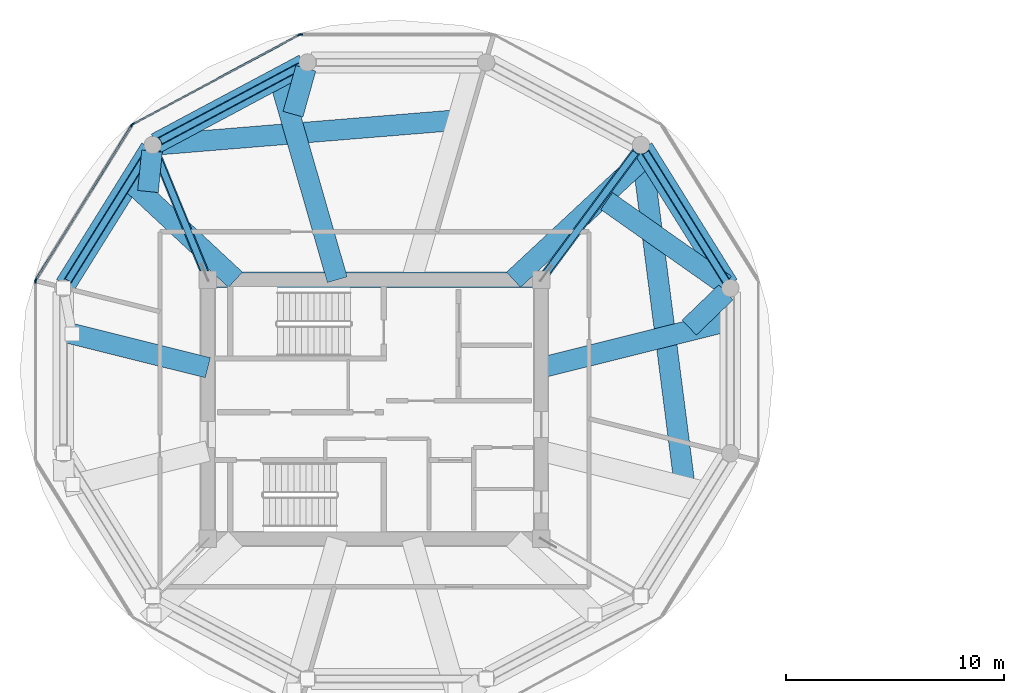
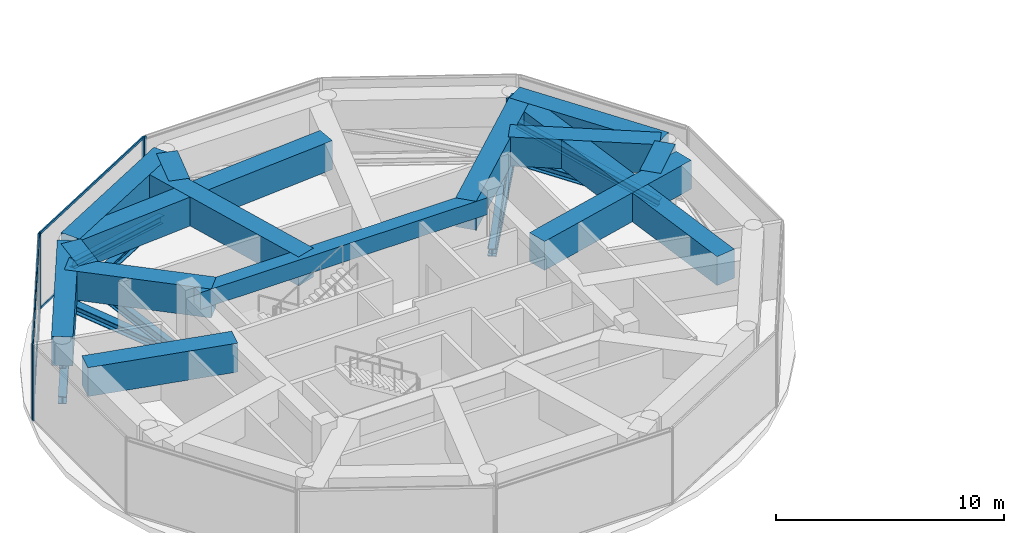
# One storey, part 4 of 20: 20 members, 15 beams, 4 elements without a shape of their own.
"""IFC4 building model written with IfcOpenShell, lengths in metres."""

from ifc_helpers import new_model, si_unit, direction, frame, origin, origin_2d, place, context, subcontext, project, spatial, rectangle, i_section, extrude, source, transform, mapped, material, layer, layer_set, material_profile, profile_set, type_object, type_shapes, element, aggregate, save


model = new_model("IFC4")

# Units and contexts
model_context = context("Model", 3, precision=1e-05, world=origin(), true_north=direction((0.0, 1.0)))
body_context = subcontext(model_context, "Body", "Model", "MODEL_VIEW")
ifc_project = project(units=[si_unit("LENGTHUNIT", "METRE"), si_unit("AREAUNIT", "SQUARE_METRE"), si_unit("VOLUMEUNIT", "CUBIC_METRE"), si_unit("PLANEANGLEUNIT", "RADIAN"), si_unit("MASSUNIT", "GRAM", prefix="KILO")], contexts=[model_context])

# Site, building, storey
site_placement = place(None, origin())
site = spatial("IfcSite", under=ifc_project, at=site_placement, CompositionType="ELEMENT")
building_placement = place(site_placement, origin())
building = spatial("IfcBuilding", under=site, at=building_placement, Name="Norrkilde Senior Care Towers", CompositionType="ELEMENT")
storey_placement = place(building_placement, frame((0.0, 0.0, 186.14990234375)))
storey = spatial("IfcBuildingStorey", under=building, at=storey_placement, Name="L58", CompositionType="ELEMENT", Elevation=186.14990234375)

# Beams
ifc_material_1 = material(Name="Concrete C60/75", Category="concrete")
ifc_material_profile_1 = material_profile(ifc_material_1, rectangle(XDim=0.699951171875, YDim=0.89990234375, at=origin_2d()), Name="RC BM 700x900")
ifc_profile_set_1 = profile_set([ifc_material_profile_1], Name="Concrete C60/75")
beam_type_1 = type_object("IfcBeamType", Name="Core Coupling Girder 700x900", PredefinedType="USERDEFINED", material=ifc_profile_set_1)
shared_shape_1 = source(origin(), body_context, "Body", "SweptSolid", [
    extrude(rectangle(XDim=0.699951171875, YDim=0.89990234375, at=origin_2d()), origin(), (0.0, 0.0, 1.0), 14.5400390625),
])
type_shapes(beam_type_1, [shared_shape_1])
beam_1_placement = place(storey_placement, frame((-35.27001953125, 5.949951171875, 3.630126953125), z_axis=(1.0, 0.0, 0.0), x_axis=(0.0, 1.0, 0.0)))
element("IfcBeam", 1, at=beam_1_placement, inside=storey, type_object=beam_type_1, Name="L58 Core W N Coupling Girder", ObjectType="GIRDER", PredefinedType="USERDEFINED", context=body_context, shape_type="MappedRepresentation", body=[
    mapped(shared_shape_1, transform((0.0, 0.0, 0.0), x_axis=(1.0, 0.0, 0.0), y_axis=(0.0, 1.0, 0.0), z_axis=(0.0, 0.0, 1.0), scale=1.0)),
])
ifc_material_profile_2 = material_profile(ifc_material_1, rectangle(XDim=0.949951171875, YDim=1.550048828125, at=origin_2d()), Name="RC TG 950x1550")
ifc_profile_set_2 = profile_set([ifc_material_profile_2], Name="Concrete C60/75")
beam_type_2 = type_object("IfcBeamType", Name="Transfer Girder Zone Shift 950x1550", PredefinedType="USERDEFINED", material=ifc_profile_set_2)
shared_shape_2 = source(origin(), body_context, "Body", "SweptSolid", [
    extrude(rectangle(XDim=0.949951171875, YDim=1.550048828125, at=origin_2d()), origin(), (0.0, 0.0, 1.0), 7.38330078125),
])
beam_2_placement = place(storey_placement, frame((-11.760498046875, 5.7197265625, 3.30517578125), z_axis=(-0.529793836977, 0.848126458909, 0.0), x_axis=(-0.848126458909, -0.529793836977, 0.0)))
element("IfcBeam", 2, at=beam_2_placement, inside=storey, type_object=beam_type_2, Name="L58 Drum W Zone Ring Transfer Girder 01", ObjectType="GIRDER", PredefinedType="USERDEFINED", context=body_context, shape_type="MappedRepresentation", body=[
    mapped(shared_shape_2, transform((0.0, 0.0, 0.0), x_axis=(1.0, 0.0, 0.0), y_axis=(0.0, 1.0, 0.0), z_axis=(0.0, 0.0, 1.0), scale=1.0)),
])
shared_shape_3 = source(origin(), body_context, "Body", "SweptSolid", [
    extrude(rectangle(XDim=0.949951171875, YDim=1.550048828125, at=origin_2d()), origin(), (0.0, 0.0, 1.0), 7.69384765625),
])
beam_3_placement = place(storey_placement, frame((-31.236083984375, 15.84130859375, 3.30517578125), z_axis=(-0.882251026015, -0.470779276408, 0.0), x_axis=(0.470779276408, -0.882251026015, 0.0)))
element("IfcBeam", 3, at=beam_3_placement, inside=storey, type_object=beam_type_2, Name="L58 Drum W Zone Ring Transfer Girder 04", ObjectType="GIRDER", PredefinedType="USERDEFINED", context=body_context, shape_type="MappedRepresentation", body=[
    mapped(shared_shape_3, transform((0.0, 0.0, 0.0), x_axis=(1.0, 0.0, 0.0), y_axis=(0.0, 1.0, 0.0), z_axis=(0.0, 0.0, 1.0), scale=1.0)),
])
shared_shape_4 = source(origin(), body_context, "Body", "SweptSolid", [
    extrude(rectangle(XDim=0.949951171875, YDim=1.550048828125, at=origin_2d()), origin(), (0.0, 0.0, 1.0), 7.383056640625),
])
beam_4_placement = place(storey_placement, frame((-38.278076171875, 11.981689453125, 3.30517578125), z_axis=(-0.529770050901, -0.848141316744, 0.0), x_axis=(0.848141316744, -0.529770050901, 0.0)))
element("IfcBeam", 4, at=beam_4_placement, inside=storey, type_object=beam_type_2, Name="L58 Drum W Zone Ring Transfer Girder 05", ObjectType="GIRDER", PredefinedType="USERDEFINED", context=body_context, shape_type="MappedRepresentation", body=[
    mapped(shared_shape_4, transform((0.0, 0.0, 0.0), x_axis=(1.0, 0.0, 0.0), y_axis=(0.0, 1.0, 0.0), z_axis=(0.0, 0.0, 1.0), scale=1.0)),
])
shared_shape_5 = source(origin(), body_context, "Body", "SweptSolid", [
    extrude(rectangle(XDim=0.949951171875, YDim=1.550048828125, at=origin_2d()), origin(), (0.0, 0.0, 1.0), 8.951904296875),
])
beam_5_placement = place(storey_placement, frame((-20.35009765625, 1.910888671875, 3.30517578125), z_axis=(0.970197020898, 0.242317437755, 0.0), x_axis=(-0.242317437755, 0.970197020898, 0.0)))
element("IfcBeam", 5, at=beam_5_placement, inside=storey, type_object=beam_type_2, Name="L58 Drum W Zone Transfer Girder 01", ObjectType="GIRDER", PredefinedType="USERDEFINED", context=body_context, shape_type="MappedRepresentation", body=[
    mapped(shared_shape_5, transform((0.0, 0.0, 0.0), x_axis=(1.0, 0.0, 0.0), y_axis=(0.0, 1.0, 0.0), z_axis=(0.0, 0.0, 1.0), scale=1.0)),
])
shared_shape_6 = source(origin(), body_context, "Body", "SweptSolid", [
    extrude(rectangle(XDim=0.949951171875, YDim=1.550048828125, at=origin_2d()), origin(), (0.0, 0.0, 1.0), 2.336669921875),
])
beam_6_placement = place(storey_placement, frame((-13.55078125, 3.7529296875, 3.30517578125), z_axis=(0.72061017086, 0.693340451476, 0.0), x_axis=(-0.693340451476, 0.72061017086, 0.0)))
element("IfcBeam", 6, at=beam_6_placement, inside=storey, type_object=beam_type_2, Name="L58 Drum W Zone Star Transfer Tie 01", ObjectType="GIRDER", PredefinedType="USERDEFINED", context=body_context, shape_type="MappedRepresentation", body=[
    mapped(shared_shape_6, transform((0.0, 0.0, 0.0), x_axis=(1.0, 0.0, 0.0), y_axis=(0.0, 1.0, 0.0), z_axis=(0.0, 0.0, 1.0), scale=1.0)),
])
shared_shape_7 = source(origin(), body_context, "Body", "SweptSolid", [
    extrude(rectangle(XDim=0.949951171875, YDim=1.550048828125, at=origin_2d()), origin(), (0.0, 0.0, 1.0), 8.39208984375),
])
beam_7_placement = place(storey_placement, frame((-21.6171875, 5.949951171875, 3.30517578125), z_axis=(0.731458557864, 0.681885898173, 0.0), x_axis=(-0.681885898173, 0.731458557864, 0.0)))
element("IfcBeam", 7, at=beam_7_placement, inside=storey, type_object=beam_type_2, Name="L58 Drum W Zone Transfer Girder 02", ObjectType="GIRDER", PredefinedType="USERDEFINED", context=body_context, shape_type="MappedRepresentation", body=[
    mapped(shared_shape_7, transform((0.0, 0.0, 0.0), x_axis=(1.0, 0.0, 0.0), y_axis=(0.0, 1.0, 0.0), z_axis=(0.0, 0.0, 1.0), scale=1.0)),
])
shared_shape_8 = source(origin(), body_context, "Body", "SweptSolid", [
    extrude(rectangle(XDim=0.949951171875, YDim=1.550048828125, at=origin_2d()), origin(), (0.0, 0.0, 1.0), 6.660888671875),
])
beam_8_placement = place(storey_placement, frame((-17.34130859375, 9.5615234375, 3.30517578125), z_axis=(0.81780705821, -0.57549249825, 0.0), x_axis=(0.57549249825, 0.81780705821, 0.0)))
element("IfcBeam", 8, at=beam_8_placement, inside=storey, type_object=beam_type_2, Name="L58 Drum W Zone Star Transfer Tie 02", ObjectType="GIRDER", PredefinedType="USERDEFINED", context=body_context, shape_type="MappedRepresentation", body=[
    mapped(shared_shape_8, transform((0.0, 0.0, 0.0), x_axis=(1.0, 0.0, 0.0), y_axis=(0.0, 1.0, 0.0), z_axis=(0.0, 0.0, 1.0), scale=1.0)),
])
shared_shape_9 = source(origin(), body_context, "Body", "SweptSolid", [
    extrude(rectangle(XDim=0.949951171875, YDim=1.550048828125, at=origin_2d()), origin(), (0.0, 0.0, 1.0), 13.487060546875),
])
beam_9_placement = place(storey_placement, frame((-24.46142578125, 13.258544921875, 3.30517578125), z_axis=(-0.996660516569, -0.081656688103, 0.0), x_axis=(0.081656688103, -0.996660516569, 0.0)))
element("IfcBeam", 9, at=beam_9_placement, inside=storey, type_object=beam_type_2, Name="L58 Drum W Zone Star Transfer Tie 03", ObjectType="GIRDER", PredefinedType="USERDEFINED", context=body_context, shape_type="MappedRepresentation", body=[
    mapped(shared_shape_9, transform((0.0, 0.0, 0.0), x_axis=(1.0, 0.0, 0.0), y_axis=(0.0, 1.0, 0.0), z_axis=(0.0, 0.0, 1.0), scale=1.0)),
])
shared_shape_10 = source(origin(), body_context, "Body", "SweptSolid", [
    extrude(rectangle(XDim=0.949951171875, YDim=1.550048828125, at=origin_2d()), origin(), (0.0, 0.0, 1.0), 9.65771484375),
])
beam_10_placement = place(storey_placement, frame((-29.710205078125, 5.949951171875, 3.30517578125), z_axis=(-0.276249927127, 0.961085832672, 0.0), x_axis=(-0.961085832672, -0.276249927127, 0.0)))
element("IfcBeam", 10, at=beam_10_placement, inside=storey, type_object=beam_type_2, Name="L58 Drum W Zone Transfer Girder 04", ObjectType="GIRDER", PredefinedType="USERDEFINED", context=body_context, shape_type="MappedRepresentation", body=[
    mapped(shared_shape_10, transform((0.0, 0.0, 0.0), x_axis=(1.0, 0.0, 0.0), y_axis=(0.0, 1.0, 0.0), z_axis=(0.0, 0.0, 1.0), scale=1.0)),
])
shared_shape_11 = source(origin(), body_context, "Body", "SweptSolid", [
    extrude(rectangle(XDim=0.949951171875, YDim=1.550048828125, at=origin_2d()), origin(), (0.0, 0.0, 1.0), 2.186279296875),
])
beam_11_placement = place(storey_placement, frame((-31.7421875, 13.551025390625, 3.30517578125), z_axis=(0.269555372018, 0.962984891583, 0.0), x_axis=(-0.962984891583, 0.269555372018, 0.0)))
element("IfcBeam", 11, at=beam_11_placement, inside=storey, type_object=beam_type_2, Name="L58 Drum W Zone Star Transfer Tie 04", ObjectType="GIRDER", PredefinedType="USERDEFINED", context=body_context, shape_type="MappedRepresentation", body=[
    mapped(shared_shape_11, transform((0.0, 0.0, 0.0), x_axis=(1.0, 0.0, 0.0), y_axis=(0.0, 1.0, 0.0), z_axis=(0.0, 0.0, 1.0), scale=1.0)),
])
shared_shape_12 = source(origin(), body_context, "Body", "SweptSolid", [
    extrude(rectangle(XDim=0.949951171875, YDim=1.550048828125, at=origin_2d()), origin(), (0.0, 0.0, 1.0), 6.620849609375),
])
beam_12_placement = place(storey_placement, frame((-34.3828125, 5.949951171875, 3.30517578125), z_axis=(-0.731452448318, 0.68189245182, 0.0), x_axis=(-0.68189245182, -0.731452448318, 0.0)))
element("IfcBeam", 12, at=beam_12_placement, inside=storey, type_object=beam_type_2, Name="L58 Drum W Zone Transfer Girder 05", ObjectType="GIRDER", PredefinedType="USERDEFINED", context=body_context, shape_type="MappedRepresentation", body=[
    mapped(shared_shape_12, transform((0.0, 0.0, 0.0), x_axis=(1.0, 0.0, 0.0), y_axis=(0.0, 1.0, 0.0), z_axis=(0.0, 0.0, 1.0), scale=1.0)),
])
shared_shape_13 = source(origin(), body_context, "Body", "SweptSolid", [
    extrude(rectangle(XDim=0.949951171875, YDim=1.550048828125, at=origin_2d()), origin(), (0.0, 0.0, 1.0), 1.864501953125),
])
beam_13_placement = place(storey_placement, frame((-38.4013671875, 10.001220703125, 3.30517578125), z_axis=(0.10200560731, 0.994783823792, 0.0), x_axis=(-0.994783823792, 0.10200560731, 0.0)))
element("IfcBeam", 13, at=beam_13_placement, inside=storey, type_object=beam_type_2, Name="L58 Drum W Zone Star Transfer Tie 05", ObjectType="GIRDER", PredefinedType="USERDEFINED", context=body_context, shape_type="MappedRepresentation", body=[
    mapped(shared_shape_13, transform((0.0, 0.0, 0.0), x_axis=(1.0, 0.0, 0.0), y_axis=(0.0, 1.0, 0.0), z_axis=(0.0, 0.0, 1.0), scale=1.0)),
])
shared_shape_14 = source(origin(), body_context, "Body", "SweptSolid", [
    extrude(rectangle(XDim=0.949951171875, YDim=1.550048828125, at=origin_2d()), origin(), (0.0, 0.0, 1.0), 6.8388671875),
])
beam_14_placement = place(storey_placement, frame((-35.64990234375, 1.910888671875, 3.30517578125), z_axis=(-0.970194976123, 0.242325624533, 0.0), x_axis=(-0.242325624533, -0.970194976123, 0.0)))
element("IfcBeam", 14, at=beam_14_placement, inside=storey, type_object=beam_type_2, Name="L58 Drum W Zone Transfer Girder 06", ObjectType="GIRDER", PredefinedType="USERDEFINED", context=body_context, shape_type="MappedRepresentation", body=[
    mapped(shared_shape_14, transform((0.0, 0.0, 0.0), x_axis=(1.0, 0.0, 0.0), y_axis=(0.0, 1.0, 0.0), z_axis=(0.0, 0.0, 1.0), scale=1.0)),
])
shared_shape_15 = source(origin(), body_context, "Body", "SweptSolid", [
    extrude(rectangle(XDim=0.949951171875, YDim=1.550048828125, at=origin_2d()), origin(), (0.0, 0.0, 1.0), 15.261962890625),
])
type_shapes(beam_type_2, [shared_shape_2, shared_shape_3, shared_shape_4, shared_shape_5, shared_shape_6, shared_shape_7, shared_shape_8, shared_shape_9, shared_shape_10, shared_shape_11, shared_shape_12, shared_shape_13, shared_shape_14, shared_shape_15])
beam_15_placement = place(storey_placement, frame((-13.788330078125, -3.281005859375, 3.30517578125), z_axis=(-0.127333800602, 0.99185992117, 0.0), x_axis=(-0.99185992117, -0.127333800602, 0.0)))
element("IfcBeam", 15, at=beam_15_placement, inside=storey, type_object=beam_type_2, Name="L58 Drum W Zone Star Transfer Tie 12", ObjectType="GIRDER", PredefinedType="USERDEFINED", context=body_context, shape_type="MappedRepresentation", body=[
    mapped(shared_shape_15, transform((0.0, 0.0, 0.0), x_axis=(1.0, 0.0, 0.0), y_axis=(0.0, 1.0, 0.0), z_axis=(0.0, 0.0, 1.0), scale=1.0)),
])

# Members
ifc_material_2 = material(Name="Steel S355", Category="steel")
ifc_material_profile_3 = material_profile(ifc_material_2, i_section(OverallWidth=0.3740234375, OverallDepth=0.386962890625, WebThickness=0.01611328125, FlangeThickness=0.027099609375, FilletRadius=0.014892578125, at=origin_2d()), Name="HD 360x262")
ifc_profile_set_3 = profile_set([ifc_material_profile_3], Name="Steel S355")
member_type_1 = type_object("IfcMemberType", Name="Belt Truss Ring Chord HD360x262", PredefinedType="CHORD", material=ifc_profile_set_3)
shared_shape_16 = source(origin(), body_context, "Body", "SweptSolid", [
    extrude(i_section(OverallWidth=0.3740234375, OverallDepth=0.386962890625, WebThickness=0.01611328125, FlangeThickness=0.027099609375, FilletRadius=0.014892578125, at=origin_2d()), origin(), (0.0, 0.0, 1.0), 7.0234375),
])
for number, where, z_axis, x_axis, name in (
    (16, (-11.855712890625, 5.872314453125, 0.550048828125), (-0.529789577822, 0.848129119433, 0.0), (-0.848129119433, -0.529789577822, 0.0), "L58 Drum W Belt Truss Bottom Chord 01"),
    (17, (-38.373291015625, 11.8291015625, 0.550048828125), (-0.529789577822, -0.848129119433, 0.0), (0.848129119433, -0.529789577822, 0.0), "L58 Drum W Belt Truss Bottom Chord 05"),
):
    element("IfcMember", number, at=place(storey_placement, frame(where, z_axis=z_axis, x_axis=x_axis)), inside=storey, type_object=member_type_1, Name=name, PredefinedType="CHORD", context=body_context, shape_type="MappedRepresentation", body=[
        mapped(shared_shape_16, transform((0.0, 0.0, 0.0), x_axis=(1.0, 0.0, 0.0), y_axis=(0.0, 1.0, 0.0), z_axis=(0.0, 0.0, 1.0), scale=1.0)),
    ])
ifc_material_profile_4 = material_profile(ifc_material_2, i_section(OverallWidth=0.300048828125, OverallDepth=0.39990234375, WebThickness=0.013427734375, FlangeThickness=0.02392578125, FilletRadius=0.027099609375, at=origin_2d()), Name="HEB 400")
ifc_profile_set_4 = profile_set([ifc_material_profile_4], Name="Steel S355")
member_type_2 = type_object("IfcMemberType", Name="Belt Truss Diagonal HEB400", PredefinedType="BRACE", material=ifc_profile_set_4)
shared_shape_17 = source(origin(), body_context, "Body", "SweptSolid", [
    extrude(i_section(OverallWidth=0.300048828125, OverallDepth=0.39990234375, WebThickness=0.013427734375, FlangeThickness=0.02392578125, FilletRadius=0.027099609375, at=origin_2d()), origin(), (0.0, 0.0, 1.0), 7.28369140625),
])
for number, where, z_axis, x_axis, name in (
    (18, (-11.855712890625, 5.872314453125, 0.550048828125), (-0.51085413753, 0.817815766787, 0.264963057357), (-0.848129119433, -0.529789577822, 0.0), "L58 Drum W Belt Truss Diagonal 01"),
    (19, (-38.373291015625, 11.8291015625, 0.550048828125), (-0.51085413753, -0.817815766787, 0.264963057357), (0.848129119433, -0.529789577822, 0.0), "L58 Drum W Belt Truss Diagonal 05"),
):
    element("IfcMember", number, at=place(storey_placement, frame(where, z_axis=z_axis, x_axis=x_axis)), inside=storey, type_object=member_type_2, Name=name, PredefinedType="BRACE", context=body_context, shape_type="MappedRepresentation", body=[
        mapped(shared_shape_17, transform((0.0, 0.0, 0.0), x_axis=(1.0, 0.0, 0.0), y_axis=(0.0, 1.0, 0.0), z_axis=(0.0, 0.0, 1.0), scale=1.0)),
    ])
shared_shape_18 = source(origin(), body_context, "Body", "SweptSolid", [
    extrude(i_section(OverallWidth=0.3740234375, OverallDepth=0.386962890625, WebThickness=0.01611328125, FlangeThickness=0.027099609375, FilletRadius=0.014892578125, at=origin_2d()), origin(), (0.0, 0.0, 1.0), 7.333740234375),
])
type_shapes(member_type_1, [shared_shape_16, shared_shape_18])
member_1_placement = place(storey_placement, frame((-31.394775390625, 15.756591796875, 0.550048828125), z_axis=(-0.882247866069, -0.470785198172, 0.0), x_axis=(0.470785198172, -0.882247866069, 0.0)))
element("IfcMember", 20, at=member_1_placement, inside=storey, type_object=member_type_1, Name="L58 Drum W Belt Truss Bottom Chord 04", PredefinedType="CHORD", context=body_context, shape_type="MappedRepresentation", body=[
    mapped(shared_shape_18, transform((0.0, 0.0, 0.0), x_axis=(1.0, 0.0, 0.0), y_axis=(0.0, 1.0, 0.0), z_axis=(0.0, 0.0, 1.0), scale=1.0)),
])
shared_shape_19 = source(origin(), body_context, "Body", "SweptSolid", [
    extrude(i_section(OverallWidth=0.300048828125, OverallDepth=0.39990234375, WebThickness=0.013427734375, FlangeThickness=0.02392578125, FilletRadius=0.027099609375, at=origin_2d()), origin(), (0.0, 0.0, 1.0), 7.58349609375),
])
type_shapes(member_type_2, [shared_shape_17, shared_shape_19])
member_2_placement = place(storey_placement, frame((-31.394775390625, 15.756591796875, 0.550048828125), z_axis=(-0.853199772835, -0.455284551635, 0.254491895112), x_axis=(0.470785198172, -0.882247866069, 0.0)))
element("IfcMember", 21, at=member_2_placement, inside=storey, type_object=member_type_2, Name="L58 Drum W Belt Truss Diagonal 04", PredefinedType="BRACE", context=body_context, shape_type="MappedRepresentation", body=[
    mapped(shared_shape_19, transform((0.0, 0.0, 0.0), x_axis=(1.0, 0.0, 0.0), y_axis=(0.0, 1.0, 0.0), z_axis=(0.0, 0.0, 1.0), scale=1.0)),
])
ifc_material_profile_5 = material_profile(ifc_material_2, i_section(OverallWidth=0.402099609375, OverallDepth=0.419921875, WebThickness=0.02001953125, FlangeThickness=0.032958984375, FilletRadius=0.014892578125, at=origin_2d()), Name="HD 400x347")
ifc_profile_set_5 = profile_set([ifc_material_profile_5], Name="Steel S355")
member_type_3 = type_object("IfcMemberType", Name="Outrigger Truss Chord HD400x347", PredefinedType="CHORD", material=ifc_profile_set_5)
shared_shape_20 = source(origin(), body_context, "Body", "SweptSolid", [
    extrude(i_section(OverallWidth=0.402099609375, OverallDepth=0.419921875, WebThickness=0.02001953125, FlangeThickness=0.032958984375, FilletRadius=0.014892578125, at=origin_2d()), origin(), (0.0, 0.0, 1.0), 6.977294921875),
])
member_3_placement = place(storey_placement, frame((-20.1357421875, 6.2392578125, 0.550048828125), z_axis=(0.595365613821, 0.80345490594, 0.0), x_axis=(-0.80345490594, 0.595365613821, 0.0)))
element("IfcMember", 22, at=member_3_placement, inside=storey, type_object=member_type_3, Name="L58 Drum W Outrigger Chord 3", PredefinedType="CHORD", context=body_context, shape_type="MappedRepresentation", body=[
    mapped(shared_shape_20, transform((0.0, 0.0, 0.0), x_axis=(1.0, 0.0, 0.0), y_axis=(0.0, 1.0, 0.0), z_axis=(0.0, 0.0, 1.0), scale=1.0)),
])
ifc_material_profile_6 = material_profile(ifc_material_2, i_section(OverallWidth=0.300048828125, OverallDepth=0.5, WebThickness=0.014404296875, FlangeThickness=0.028076171875, FilletRadius=0.027099609375, at=origin_2d()), Name="HEB 500")
ifc_profile_set_6 = profile_set([ifc_material_profile_6], Name="Steel S355")
member_type_4 = type_object("IfcMemberType", Name="Outrigger Truss Diagonal HEB500", PredefinedType="BRACE", material=ifc_profile_set_6)
shared_shape_21 = source(origin(), body_context, "Body", "SweptSolid", [
    extrude(i_section(OverallWidth=0.300048828125, OverallDepth=0.5, WebThickness=0.014404296875, FlangeThickness=0.028076171875, FilletRadius=0.027099609375, at=origin_2d()), origin(), (0.0, 0.0, 1.0), 7.2392578125),
])
member_4_placement = place(storey_placement, frame((-20.1357421875, 6.2392578125, 0.550048828125), z_axis=(0.573819231646, 0.774377737117, 0.266590715613), x_axis=(-0.80345490594, 0.595365613821, 0.0)))
element("IfcMember", 23, at=member_4_placement, inside=storey, type_object=member_type_4, Name="L58 Drum W Outrigger Diagonal 3", PredefinedType="BRACE", context=body_context, shape_type="MappedRepresentation", body=[
    mapped(shared_shape_21, transform((0.0, 0.0, 0.0), x_axis=(1.0, 0.0, 0.0), y_axis=(0.0, 1.0, 0.0), z_axis=(0.0, 0.0, 1.0), scale=1.0)),
])
shared_shape_22 = source(origin(), body_context, "Body", "SweptSolid", [
    extrude(i_section(OverallWidth=0.402099609375, OverallDepth=0.419921875, WebThickness=0.02001953125, FlangeThickness=0.032958984375, FilletRadius=0.014892578125, at=origin_2d()), origin(), (0.0, 0.0, 1.0), 5.962890625),
])
type_shapes(member_type_3, [shared_shape_20, shared_shape_22])
member_5_placement = place(storey_placement, frame((-35.786376953125, 6.283203125, 0.550048828125), z_axis=(-0.378973992535, 0.925407322741, 0.0), x_axis=(-0.925407322741, -0.378973992535, 0.0)))
element("IfcMember", 24, at=member_5_placement, inside=storey, type_object=member_type_3, Name="L58 Drum W Outrigger Chord 4", PredefinedType="CHORD", context=body_context, shape_type="MappedRepresentation", body=[
    mapped(shared_shape_22, transform((0.0, 0.0, 0.0), x_axis=(1.0, 0.0, 0.0), y_axis=(0.0, 1.0, 0.0), z_axis=(0.0, 0.0, 1.0), scale=1.0)),
])
shared_shape_23 = source(origin(), body_context, "Body", "SweptSolid", [
    extrude(i_section(OverallWidth=0.300048828125, OverallDepth=0.5, WebThickness=0.014404296875, FlangeThickness=0.028076171875, FilletRadius=0.027099609375, at=origin_2d()), origin(), (0.0, 0.0, 1.0), 6.267333984375),
])
type_shapes(member_type_4, [shared_shape_21, shared_shape_23])
member_6_placement = place(storey_placement, frame((-35.786376953125, 6.283203125, 0.550048828125), z_axis=(-0.360559021608, 0.88044025566, 0.30793205119), x_axis=(-0.925407322741, -0.378973992535, 0.0)))
element("IfcMember", 25, at=member_6_placement, inside=storey, type_object=member_type_4, Name="L58 Drum W Outrigger Diagonal 4", PredefinedType="BRACE", context=body_context, shape_type="MappedRepresentation", body=[
    mapped(shared_shape_23, transform((0.0, 0.0, 0.0), x_axis=(1.0, 0.0, 0.0), y_axis=(0.0, 1.0, 0.0), z_axis=(0.0, 0.0, 1.0), scale=1.0)),
])

# Curtain wall, member
ifc_material_3 = material(Name="Triple Low-E Insulated Glazing", Category="glass")
ifc_layer = layer(ifc_material_3, 0.18505859375)
ifc_layer_set = layer_set([ifc_layer], Name="Triple Low-E Insulated Glazing")
curtain_wall_type = type_object("IfcCurtainWallType", Name="CW6 Zone 4 Crown Pavilion Curtain Wall", PredefinedType="NOTDEFINED", material=ifc_layer_set)
curtain_wall_1_placement = place(storey_placement, origin())
curtain_wall_1 = element("IfcCurtainWall", 26, at=curtain_wall_1_placement, inside=storey, type_object=curtain_wall_type, Name="L58 Drum W Curtain Wall 02", PredefinedType="NOTDEFINED")
ifc_material_4 = material(Name="Anodised Aluminium", Category="aluminium")
ifc_material_profile_7 = material_profile(ifc_material_4, rectangle(XDim=0.070068359375, YDim=0.169921875, at=origin_2d()), Name="ALU MULL 70x170")
ifc_profile_set_7 = profile_set([ifc_material_profile_7], Name="Anodised Aluminium")
member_type_5 = type_object("IfcMemberType", Name="Curtain Wall Mullion Heavy 70x170", PredefinedType="MULLION", material=ifc_profile_set_7)
shared_shape_24 = source(origin(), body_context, "Body", "SweptSolid", [
    extrude(rectangle(XDim=0.070068359375, YDim=0.169921875, at=origin_2d()), origin(), (0.0, 0.0, 1.0), 4.080078125),
])
type_shapes(member_type_5, [shared_shape_24])
member_7_placement = place(storey_placement, frame((-31.386474609375, 17.2109375, 0.0), z_axis=(0.0, 0.0, 1.0), x_axis=(0.0, 1.0, 0.0)))
member_7 = element("IfcMember", 27, at=member_7_placement, type_object=member_type_5, Name="CW-6 mullion 1", PredefinedType="MULLION", context=body_context, shape_type="MappedRepresentation", body=[
    mapped(shared_shape_24, transform((0.0, 0.0, 0.0), x_axis=(1.0, 0.0, 0.0), y_axis=(0.0, 1.0, 0.0), z_axis=(0.0, 0.0, 1.0), scale=1.0)),
])
aggregate(curtain_wall_1, [member_7])

# Curtain wall, members
curtain_wall_2_placement = place(storey_placement, origin())
curtain_wall_2 = element("IfcCurtainWall", 28, at=curtain_wall_2_placement, inside=storey, type_object=curtain_wall_type, Name="L58 Drum W Curtain Wall 03", PredefinedType="NOTDEFINED")
member_8_placement = place(storey_placement, frame((-39.09228515625, 13.091552734375, 0.0), z_axis=(0.0, 0.0, 1.0), x_axis=(-0.47311715104, 0.880999524059, 0.0)))
member_8 = element("IfcMember", 29, at=member_8_placement, type_object=member_type_5, Name="CW-6 mullion 1", PredefinedType="MULLION", context=body_context, shape_type="MappedRepresentation", body=[
    mapped(shared_shape_24, transform((0.0, 0.0, 0.0), x_axis=(1.0, 0.0, 0.0), y_axis=(0.0, 1.0, 0.0), z_axis=(0.0, 0.0, 1.0), scale=1.0)),
])
member_9_placement = place(storey_placement, frame((-31.452392578125, 17.1943359375, 0.0), z_axis=(0.0, 0.0, 1.0), x_axis=(-0.47311715104, 0.880999524059, 0.0)))
member_9 = element("IfcMember", 30, at=member_9_placement, type_object=member_type_5, Name="CW-6 mullion 2", PredefinedType="MULLION", context=body_context, shape_type="MappedRepresentation", body=[
    mapped(shared_shape_24, transform((0.0, 0.0, 0.0), x_axis=(1.0, 0.0, 0.0), y_axis=(0.0, 1.0, 0.0), z_axis=(0.0, 0.0, 1.0), scale=1.0)),
])

curtain_wall_3_placement = place(storey_placement, origin())
curtain_wall_3 = element("IfcCurtainWall", 31, at=curtain_wall_3_placement, inside=storey, type_object=curtain_wall_type, Name="L58 Drum W Curtain Wall 04", PredefinedType="NOTDEFINED")
member_10_placement = place(storey_placement, frame((-43.55126953125, 5.94091796875, 0.0), z_axis=(0.0, 0.0, 1.0), x_axis=(-0.84963405474, 0.52737270789, 0.0)))
member_10 = element("IfcMember", 32, at=member_10_placement, type_object=member_type_5, Name="CW-6 mullion 1", PredefinedType="MULLION", context=body_context, shape_type="MappedRepresentation", body=[
    mapped(shared_shape_24, transform((0.0, 0.0, 0.0), x_axis=(1.0, 0.0, 0.0), y_axis=(0.0, 1.0, 0.0), z_axis=(0.0, 0.0, 1.0), scale=1.0)),
])
member_11_placement = place(storey_placement, frame((-39.1416015625, 13.045166015625, 0.0), z_axis=(0.0, 0.0, 1.0), x_axis=(-0.84963405474, 0.52737270789, 0.0)))
member_11 = element("IfcMember", 33, at=member_11_placement, type_object=member_type_5, Name="CW-6 mullion 2", PredefinedType="MULLION", context=body_context, shape_type="MappedRepresentation", body=[
    mapped(shared_shape_24, transform((0.0, 0.0, 0.0), x_axis=(1.0, 0.0, 0.0), y_axis=(0.0, 1.0, 0.0), z_axis=(0.0, 0.0, 1.0), scale=1.0)),
])

# Curtain wall, member
curtain_wall_4_placement = place(storey_placement, origin())
curtain_wall_4 = element("IfcCurtainWall", 34, at=curtain_wall_4_placement, inside=storey, type_object=curtain_wall_type, Name="L58 Drum W Curtain Wall 05", PredefinedType="NOTDEFINED")
member_12_placement = place(storey_placement, frame((-43.569580078125, 5.876220703125, 0.0), z_axis=(0.0, 0.0, 1.0), x_axis=(-1.0, 0.0, 0.0)))
member_12 = element("IfcMember", 35, at=member_12_placement, type_object=member_type_5, Name="CW-6 mullion 2", PredefinedType="MULLION", context=body_context, shape_type="MappedRepresentation", body=[
    mapped(shared_shape_24, transform((0.0, 0.0, 0.0), x_axis=(1.0, 0.0, 0.0), y_axis=(0.0, 1.0, 0.0), z_axis=(0.0, 0.0, 1.0), scale=1.0)),
])
aggregate(curtain_wall_4, [member_12])

# Member
ifc_material_profile_8 = material_profile(ifc_material_4, rectangle(XDim=0.06494140625, YDim=0.1298828125, at=origin_2d()), Name="ALU TRAN 65x130")
ifc_profile_set_8 = profile_set([ifc_material_profile_8], Name="Anodised Aluminium")
member_type_6 = type_object("IfcMemberType", Name="Curtain Wall Transom Heavy 65x130", PredefinedType="USERDEFINED", material=ifc_profile_set_8)
shared_shape_25 = source(origin(), body_context, "Body", "SweptSolid", [
    extrude(rectangle(XDim=0.06494140625, YDim=0.1298828125, at=origin_2d()), origin(), (0.0, 0.0, 1.0), 8.29150390625),
])
member_13_placement = place(storey_placement, frame((-43.53271484375, 5.970703125, 0.03271484375), z_axis=(0.527384117405, 0.849626972682, 0.0), x_axis=(-0.849626972682, 0.527384117405, 0.0)))
member_13 = element("IfcMember", 36, at=member_13_placement, type_object=member_type_6, Name="CW-6 transom 1.1", ObjectType="TRANSOM", PredefinedType="USERDEFINED", context=body_context, shape_type="MappedRepresentation", body=[
    mapped(shared_shape_25, transform((0.0, 0.0, 0.0), x_axis=(1.0, 0.0, 0.0), y_axis=(0.0, 1.0, 0.0), z_axis=(0.0, 0.0, 1.0), scale=1.0)),
])

member_14_placement = place(storey_placement, frame((-43.53271484375, 5.970703125, 4.047607421875), z_axis=(0.527384117405, 0.849626972682, 0.0), x_axis=(-0.849626972682, 0.527384117405, 0.0)))
member_14 = element("IfcMember", 37, at=member_14_placement, type_object=member_type_6, Name="CW-6 transom 1.2", ObjectType="TRANSOM", PredefinedType="USERDEFINED", context=body_context, shape_type="MappedRepresentation", body=[
    mapped(shared_shape_25, transform((0.0, 0.0, 0.0), x_axis=(1.0, 0.0, 0.0), y_axis=(0.0, 1.0, 0.0), z_axis=(0.0, 0.0, 1.0), scale=1.0)),
])

aggregate(curtain_wall_3, [member_10, member_11, member_13, member_14])

shared_shape_26 = source(origin(), body_context, "Body", "SweptSolid", [
    extrude(rectangle(XDim=0.06494140625, YDim=0.1298828125, at=origin_2d()), origin(), (0.0, 0.0, 1.0), 8.601806640625),
])
type_shapes(member_type_6, [shared_shape_25, shared_shape_26])
member_15_placement = place(storey_placement, frame((-39.0615234375, 13.108154296875, 0.03271484375), z_axis=(0.881008230911, 0.473100937504, 0.0), x_axis=(-0.473100937504, 0.881008230911, 0.0)))
member_15 = element("IfcMember", 38, at=member_15_placement, type_object=member_type_6, Name="CW-6 transom 1.1", ObjectType="TRANSOM", PredefinedType="USERDEFINED", context=body_context, shape_type="MappedRepresentation", body=[
    mapped(shared_shape_26, transform((0.0, 0.0, 0.0), x_axis=(1.0, 0.0, 0.0), y_axis=(0.0, 1.0, 0.0), z_axis=(0.0, 0.0, 1.0), scale=1.0)),
])

member_16_placement = place(storey_placement, frame((-39.0615234375, 13.108154296875, 4.047607421875), z_axis=(0.881008230911, 0.473100937504, 0.0), x_axis=(-0.473100937504, 0.881008230911, 0.0)))
member_16 = element("IfcMember", 39, at=member_16_placement, type_object=member_type_6, Name="CW-6 transom 1.2", ObjectType="TRANSOM", PredefinedType="USERDEFINED", context=body_context, shape_type="MappedRepresentation", body=[
    mapped(shared_shape_26, transform((0.0, 0.0, 0.0), x_axis=(1.0, 0.0, 0.0), y_axis=(0.0, 1.0, 0.0), z_axis=(0.0, 0.0, 1.0), scale=1.0)),
])

aggregate(curtain_wall_2, [member_8, member_9, member_15, member_16])

save(model, "model.ifc")
